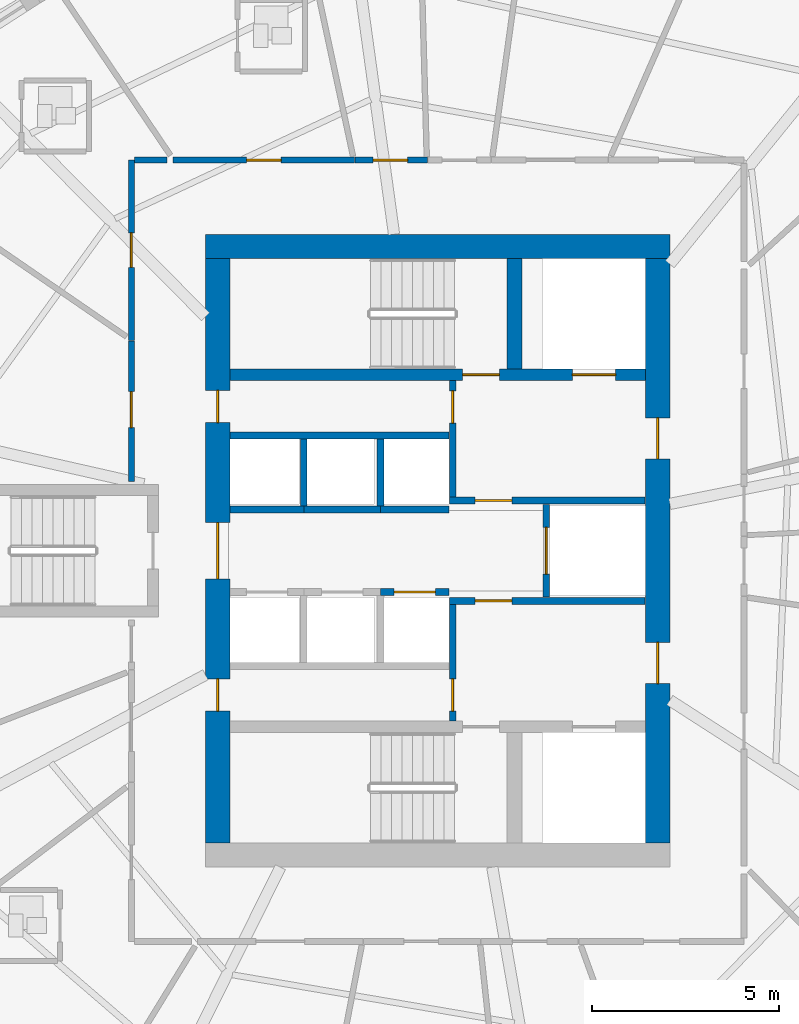
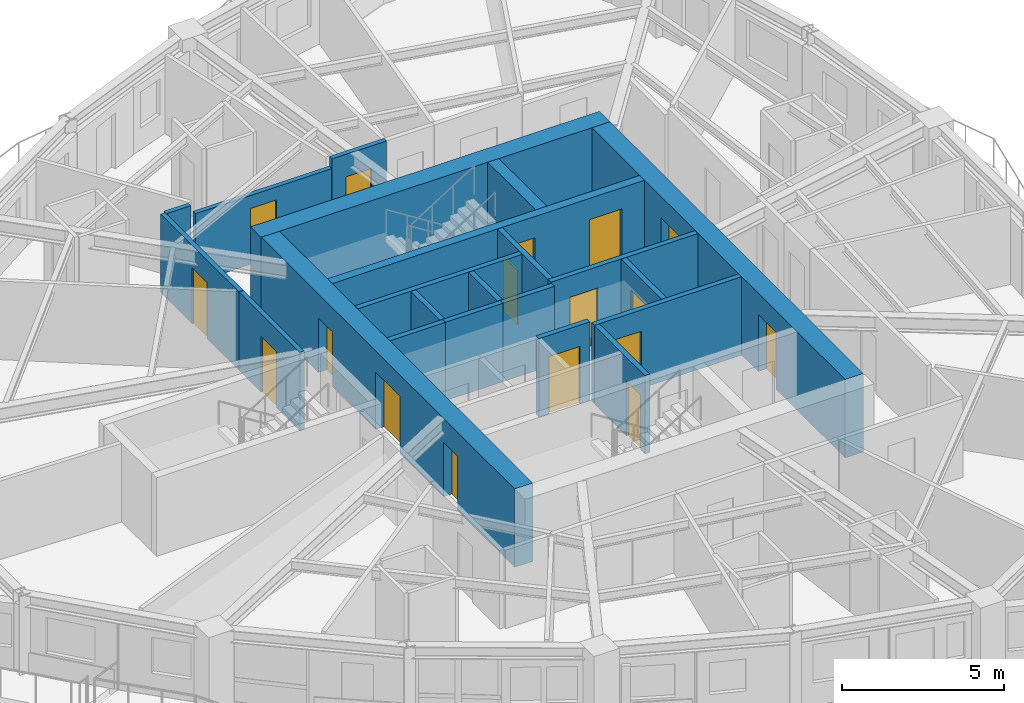
# One storey, part 7 of 15: 22 walls, 17 doors, 17 openings.
"""IFC4 building model written with IfcOpenShell, lengths in metres."""

from ifc_helpers import new_model, si_unit, direction, frame, frame_2d, origin, place, context, subcontext, project, spatial, rectangle, extrude, source, transform, mapped, material, layer, layer_set, type_object, element, fill, save


model = new_model("IFC4")

# Units and contexts
model_context = context("Model", 3, precision=1e-05, world=origin(), true_north=direction((0.0, 1.0)))
body_context = subcontext(model_context, "Body", "Model", "MODEL_VIEW")
ifc_project = project(units=[si_unit("LENGTHUNIT", "METRE"), si_unit("AREAUNIT", "SQUARE_METRE"), si_unit("VOLUMEUNIT", "CUBIC_METRE"), si_unit("PLANEANGLEUNIT", "RADIAN"), si_unit("MASSUNIT", "GRAM", prefix="KILO")], contexts=[model_context])

# Site, building, storey
site_placement = place(None, origin())
site = spatial("IfcSite", under=ifc_project, at=site_placement, CompositionType="ELEMENT")
building_placement = place(site_placement, origin())
building = spatial("IfcBuilding", under=site, at=building_placement, Name="Qafzar Sky-Pleat Residences", CompositionType="ELEMENT")
storey_placement = place(building_placement, frame((0.0, 0.0, 70.39990234375)))
storey = spatial("IfcBuildingStorey", under=building, at=storey_placement, Name="L20", CompositionType="ELEMENT", Elevation=70.39990234375)

# Wall, opening, door
ifc_material_1 = material(Name="Acoustic gypsum plasterboard partition", Category="gypsum")
ifc_layer_1 = layer(ifc_material_1, 0.159912109375)
ifc_layer_set_1 = layer_set([ifc_layer_1], Name="Acoustic gypsum plasterboard partition")
wall_type_1 = type_object("IfcWallType", Name="PART-COR-160", PredefinedType="PARTITIONING", material=ifc_layer_set_1)
wall_1_placement = place(storey_placement, frame((23.283935546875, 36.429931640625, 0.0), z_axis=(0.0, 0.0, 1.0), x_axis=(1.0, 0.0, 0.0)))
wall_1 = element("IfcWall", 1, at=wall_1_placement, inside=storey, type_object=wall_type_1, Name="L20 Partition Wall PART-L20-PW-003", PredefinedType="PARTITIONING", context=body_context, shape_type="SweptSolid", body=[
    extrude(rectangle(XDim=4.844970703125, YDim=0.159912109375, at=frame_2d((2.42236328125, 0.0))), origin(), (0.0, 0.0, 1.0), 2.588134765625),
])
opening_1_placement = place(wall_1_placement, frame((1.96337890625, 0.0, 0.0)))
opening_1 = element("IfcOpeningElement", 2, at=opening_1_placement, cuts=wall_1, Name="Opening ID-04", PredefinedType="OPENING", context=body_context, shape_type="SweptSolid", body=[
    extrude(rectangle(XDim=0.919921875, YDim=2.10009765625, at=frame_2d((0.4599609375, 1.050048828125))), frame((0.0, 0.08984375, 0.0), z_axis=(0.0, -1.0, 0.0), x_axis=(1.0, 0.0, 0.0)), (0.0, 0.0, 1.0), 0.179931640625),
])
ifc_material_2 = material(Name="Timber-faced fire door", Category="wood")
door_type_1 = type_object("IfcDoorType", Name="DR-BED-920", OperationType="NOTDEFINED", PredefinedType="DOOR", material=ifc_material_2)
shared_shape_1 = source(origin(), body_context, "Body", "SweptSolid", [
    extrude(rectangle(XDim=0.919921875, YDim=2.10009765625, at=frame_2d((0.4599609375, 1.050048828125))), frame((0.0, 0.02490234375, 0.0), z_axis=(0.0, -1.0, 0.0), x_axis=(1.0, 0.0, 0.0)), (0.0, 0.0, 1.0), 0.050048828125),
])
door_1_placement = place(opening_1_placement, origin())
door_1 = element("IfcDoor", 3, at=door_1_placement, inside=storey, type_object=door_type_1, Name="L20 Co-Living Bedroom 3 Door", OperationType="SINGLE_SWING_RIGHT", OverallHeight=2.10009765625, OverallWidth=0.919921875, PredefinedType="DOOR", context=body_context, shape_type="MappedRepresentation", body=[
    mapped(shared_shape_1, transform((0.0, 0.0, 0.0), x_axis=(1.0, 0.0, 0.0), y_axis=(0.0, 1.0, 0.0), z_axis=(0.0, 0.0, 1.0), scale=1.0)),
])
fill(opening_1, door_1)

wall_2_placement = place(storey_placement, frame((22.169921875, 31.610107421875, 0.0), z_axis=(0.0, 0.0, 1.0), x_axis=(0.0, 1.0, 0.0)))
wall_2 = element("IfcWall", 4, at=wall_2_placement, inside=storey, type_object=wall_type_1, Name="L20 Partition Wall PART-L20-PW-004", PredefinedType="PARTITIONING", context=body_context, shape_type="SweptSolid", body=[
    extrude(rectangle(XDim=4.81982421875, YDim=0.159912109375, at=frame_2d((2.409912109375, 0.0))), origin(), (0.0, 0.0, 1.0), 2.9501953125),
])
opening_2_placement = place(wall_2_placement, frame((1.958984375, 0.0, 0.0)))
opening_2 = element("IfcOpeningElement", 5, at=opening_2_placement, cuts=wall_2, Name="Opening ID-04", PredefinedType="OPENING", context=body_context, shape_type="SweptSolid", body=[
    extrude(rectangle(XDim=0.919921875, YDim=2.10009765625, at=frame_2d((0.4599609375, 1.050048828125))), frame((0.0, 0.08984375, 0.0), z_axis=(0.0, -1.0, 0.0), x_axis=(1.0, 0.0, 0.0)), (0.0, 0.0, 1.0), 0.179931640625),
])
door_2_placement = place(opening_2_placement, origin())
door_2 = element("IfcDoor", 6, at=door_2_placement, inside=storey, type_object=door_type_1, Name="L20 Co-Living Bedroom 4 Door", OperationType="SINGLE_SWING_LEFT", OverallHeight=2.10009765625, OverallWidth=0.919921875, PredefinedType="DOOR", context=body_context, shape_type="MappedRepresentation", body=[
    mapped(shared_shape_1, transform((0.0, 0.0, 0.0), x_axis=(1.0, 0.0, 0.0), y_axis=(0.0, 1.0, 0.0), z_axis=(0.0, 0.0, 1.0), scale=1.0)),
])
fill(opening_2, door_2)

wall_3_placement = place(storey_placement, frame((22.169921875, 27.85009765625, 0.0), z_axis=(0.0, 0.0, 1.0), x_axis=(0.0, 1.0, 0.0)))
wall_3 = element("IfcWall", 7, at=wall_3_placement, inside=storey, type_object=wall_type_1, Name="L20 Partition Wall PART-L20-PW-008", PredefinedType="PARTITIONING", context=body_context, shape_type="SweptSolid", body=[
    extrude(rectangle(XDim=3.744873046875, YDim=0.159912109375, at=frame_2d((1.87255859375, 0.0))), origin(), (0.0, 0.0, 1.0), 2.9501953125),
])
opening_3_placement = place(wall_3_placement, frame((1.4384765625, 0.0, 0.0)))
opening_3 = element("IfcOpeningElement", 8, at=opening_3_placement, cuts=wall_3, Name="Opening ID-06", PredefinedType="OPENING", context=body_context, shape_type="SweptSolid", body=[
    extrude(rectangle(XDim=0.9599609375, YDim=2.10009765625, at=frame_2d((0.47998046875, 1.050048828125))), frame((0.0, 0.08984375, 0.0), z_axis=(0.0, -1.0, 0.0), x_axis=(1.0, 0.0, 0.0)), (0.0, 0.0, 1.0), 0.179931640625),
])
door_type_2 = type_object("IfcDoorType", Name="DR-STD-960", OperationType="NOTDEFINED", PredefinedType="DOOR", material=ifc_material_2)
shared_shape_2 = source(origin(), body_context, "Body", "SweptSolid", [
    extrude(rectangle(XDim=0.9599609375, YDim=2.10009765625, at=frame_2d((0.47998046875, 1.050048828125))), frame((0.0, 0.02490234375, 0.0), z_axis=(0.0, -1.0, 0.0), x_axis=(1.0, 0.0, 0.0)), (0.0, 0.0, 1.0), 0.050048828125),
])
door_3_placement = place(opening_3_placement, origin())
door_3 = element("IfcDoor", 9, at=door_3_placement, inside=storey, type_object=door_type_2, Name="L20 Scholar Co-Working Workspace Door", OperationType="SINGLE_SWING_RIGHT", OverallHeight=2.10009765625, OverallWidth=0.9599609375, PredefinedType="DOOR", context=body_context, shape_type="MappedRepresentation", body=[
    mapped(shared_shape_2, transform((0.0, 0.0, 0.0), x_axis=(1.0, 0.0, 0.0), y_axis=(0.0, 1.0, 0.0), z_axis=(0.0, 0.0, 1.0), scale=1.0)),
])
fill(opening_3, door_3)

wall_4_placement = place(storey_placement, frame((28.14404296875, 36.429931640625, 0.0), z_axis=(0.0, 0.0, 1.0), x_axis=(1.0, 0.0, 0.0)))
wall_4 = element("IfcWall", 10, at=wall_4_placement, inside=storey, type_object=wall_type_1, Name="L20 Partition Wall PART-L20-PW-014", PredefinedType="PARTITIONING", context=body_context, shape_type="SweptSolid", body=[
    extrude(rectangle(XDim=1.931884765625, YDim=0.159912109375, at=frame_2d((0.9658203125, 0.0))), origin(), (0.0, 0.0, 1.0), 2.9501953125),
])
opening_4_placement = place(wall_4_placement, frame((0.48291015625, 0.0, 0.0)))
opening_4 = element("IfcOpeningElement", 11, at=opening_4_placement, cuts=wall_4, Name="Opening ID-04", PredefinedType="OPENING", context=body_context, shape_type="SweptSolid", body=[
    extrude(rectangle(XDim=0.919921875, YDim=2.10009765625, at=frame_2d((0.4599609375, 1.050048828125))), frame((0.0, 0.08984375, 0.0), z_axis=(0.0, -1.0, 0.0), x_axis=(1.0, 0.0, 0.0)), (0.0, 0.0, 1.0), 0.179931640625),
])
door_4_placement = place(opening_4_placement, origin())
door_4 = element("IfcDoor", 12, at=door_4_placement, inside=storey, type_object=door_type_1, Name="L20 Co-Living Bedroom 1 Door", OperationType="SINGLE_SWING_RIGHT", OverallHeight=2.10009765625, OverallWidth=0.919921875, PredefinedType="DOOR", context=body_context, shape_type="MappedRepresentation", body=[
    mapped(shared_shape_1, transform((0.0, 0.0, 0.0), x_axis=(1.0, 0.0, 0.0), y_axis=(0.0, 1.0, 0.0), z_axis=(0.0, 0.0, 1.0), scale=1.0)),
])
fill(opening_4, door_4)

# Wall
wall_5_placement = place(storey_placement, frame((22.258056640625, 36.429931640625, 0.0), z_axis=(0.0, 0.0, 1.0), x_axis=(1.0, 0.0, 0.0)))
element("IfcWall", 13, at=wall_5_placement, inside=storey, type_object=wall_type_1, Name="L20 Partition Wall PART-L20-PW-065", PredefinedType="PARTITIONING", context=body_context, shape_type="SweptSolid", body=[
    extrude(rectangle(XDim=0.861328125, YDim=0.159912109375, at=frame_2d((0.4306640625, 0.0))), origin(), (0.0, 0.0, 1.0), 2.9501953125),
])

# Wall, opening, door
ifc_material_3 = material(Name="Concrete blockwork partition", Category="masonry")
ifc_layer_2 = layer(ifc_material_3, 0.179931640625)
ifc_layer_set_2 = layer_set([ifc_layer_2], Name="Concrete blockwork partition")
wall_type_2 = type_object("IfcWallType", Name="PART-SHAFT-180", PredefinedType="PARTITIONING", material=ifc_layer_set_2)
wall_6_placement = place(storey_placement, frame((30.75, 21.4599609375, 0.0), z_axis=(0.0, 0.0, 1.0), x_axis=(0.0, 1.0, 0.0)))
wall_6 = element("IfcWall", 14, at=wall_6_placement, inside=storey, type_object=wall_type_2, Name="L20 Partition Wall PART-L20-FFL1-W", PredefinedType="PARTITIONING", context=body_context, shape_type="SweptSolid", body=[
    extrude(rectangle(XDim=3.110107421875, YDim=0.179931640625, at=frame_2d((1.55517578125, 0.0))), origin(), (0.0, 0.0, 1.0), 2.9501953125),
])
opening_5_placement = place(wall_6_placement, frame((0.260009765625, 0.0, 0.0)))
opening_5 = element("IfcOpeningElement", 15, at=opening_5_placement, cuts=wall_6, Name="Opening ID-09", PredefinedType="OPENING", context=body_context, shape_type="SweptSolid", body=[
    extrude(rectangle(XDim=0.860107421875, YDim=2.050048828125, at=frame_2d((0.43017578125, 1.02490234375))), frame((0.0, 0.10009765625, 0.0), z_axis=(0.0, -1.0, 0.0), x_axis=(1.0, 0.0, 0.0)), (0.0, 0.0, 1.0), 0.199951171875),
])
door_type_3 = type_object("IfcDoorType", Name="DR-SVC-860", OperationType="NOTDEFINED", PredefinedType="DOOR", material=ifc_material_2)
shared_shape_3 = source(origin(), body_context, "Body", "SweptSolid", [
    extrude(rectangle(XDim=0.860107421875, YDim=2.050048828125, at=frame_2d((0.43017578125, 1.02490234375))), frame((0.0, 0.02490234375, 0.0), z_axis=(0.0, -1.0, 0.0), x_axis=(1.0, 0.0, 0.0)), (0.0, 0.0, 1.0), 0.050048828125),
])
door_5_placement = place(opening_5_placement, origin())
door_5 = element("IfcDoor", 16, at=door_5_placement, inside=storey, type_object=door_type_3, Name="L20 South Core Cupboard Door", OperationType="SINGLE_SWING_RIGHT", OverallHeight=2.050048828125, OverallWidth=0.860107421875, PredefinedType="DOOR", context=body_context, shape_type="MappedRepresentation", body=[
    mapped(shared_shape_3, transform((0.0, 0.0, 0.0), x_axis=(1.0, 0.0, 0.0), y_axis=(0.0, 1.0, 0.0), z_axis=(0.0, 0.0, 1.0), scale=1.0)),
])
fill(opening_5, door_5)

wall_7_placement = place(storey_placement, frame((30.669921875, 24.659912109375, 0.0), z_axis=(0.0, 0.0, 1.0), x_axis=(1.0, 0.0, 0.0)))
wall_7 = element("IfcWall", 17, at=wall_7_placement, inside=storey, type_object=wall_type_2, Name="L20 Partition Wall PART-L20-FFL1-N", PredefinedType="PARTITIONING", context=body_context, shape_type="SweptSolid", body=[
    extrude(rectangle(XDim=5.219970703125, YDim=0.179931640625, at=frame_2d((2.60986328125, 0.0))), origin(), (0.0, 0.0, 1.0), 2.9501953125),
])
opening_6_placement = place(wall_7_placement, frame((0.679931640625, 0.0, 0.0)))
opening_6 = element("IfcOpeningElement", 18, at=opening_6_placement, cuts=wall_7, Name="Opening ID-01", PredefinedType="OPENING", context=body_context, shape_type="SweptSolid", body=[
    extrude(rectangle(XDim=0.97998046875, YDim=2.14990234375, at=frame_2d((0.489990234375, 1.074951171875))), frame((0.0, 0.10009765625, 0.0), z_axis=(0.0, -1.0, 0.0), x_axis=(1.0, 0.0, 0.0)), (0.0, 0.0, 1.0), 0.199951171875),
])
door_type_4 = type_object("IfcDoorType", Name="DR-STAIR-980", OperationType="NOTDEFINED", PredefinedType="DOOR", material=ifc_material_2)
shared_shape_4 = source(origin(), body_context, "Body", "SweptSolid", [
    extrude(rectangle(XDim=0.97998046875, YDim=2.14990234375, at=frame_2d((0.489990234375, 1.074951171875))), frame((0.0, 0.02490234375, 0.0), z_axis=(0.0, -1.0, 0.0), x_axis=(1.0, 0.0, 0.0)), (0.0, 0.0, 1.0), 0.050048828125),
])
door_6_placement = place(opening_6_placement, origin())
door_6 = element("IfcDoor", 19, at=door_6_placement, inside=storey, type_object=door_type_4, Name="L20 Lift Lobby to South Firefighting Lobby Door", OperationType="SINGLE_SWING_LEFT", OverallHeight=2.14990234375, OverallWidth=0.97998046875, PredefinedType="DOOR", context=body_context, shape_type="MappedRepresentation", body=[
    mapped(shared_shape_4, transform((0.0, 0.0, 0.0), x_axis=(1.0, 0.0, 0.0), y_axis=(0.0, 1.0, 0.0), z_axis=(0.0, 0.0, 1.0), scale=1.0)),
])
fill(opening_6, door_6)

wall_8_placement = place(storey_placement, frame((30.75, 27.429931640625, 0.0), z_axis=(0.0, 0.0, 1.0), x_axis=(0.0, 1.0, 0.0)))
wall_8 = element("IfcWall", 20, at=wall_8_placement, inside=storey, type_object=wall_type_2, Name="L20 Partition Wall PART-L20-FFL2-W", PredefinedType="PARTITIONING", context=body_context, shape_type="SweptSolid", body=[
    extrude(rectangle(XDim=3.110107421875, YDim=0.179931640625, at=frame_2d((1.55517578125, 0.0))), origin(), (0.0, 0.0, 1.0), 2.9501953125),
])
opening_7_placement = place(wall_8_placement, frame((1.97998046875, 0.0, 0.0)))
opening_7 = element("IfcOpeningElement", 21, at=opening_7_placement, cuts=wall_8, Name="Opening ID-09", PredefinedType="OPENING", context=body_context, shape_type="SweptSolid", body=[
    extrude(rectangle(XDim=0.860107421875, YDim=2.050048828125, at=frame_2d((0.43017578125, 1.02490234375))), frame((0.0, 0.10009765625, 0.0), z_axis=(0.0, -1.0, 0.0), x_axis=(1.0, 0.0, 0.0)), (0.0, 0.0, 1.0), 0.199951171875),
])
door_7_placement = place(opening_7_placement, origin())
door_7 = element("IfcDoor", 22, at=door_7_placement, inside=storey, type_object=door_type_3, Name="L20 North Core Cupboard Door", OperationType="SINGLE_SWING_RIGHT", OverallHeight=2.050048828125, OverallWidth=0.860107421875, PredefinedType="DOOR", context=body_context, shape_type="MappedRepresentation", body=[
    mapped(shared_shape_3, transform((0.0, 0.0, 0.0), x_axis=(1.0, 0.0, 0.0), y_axis=(0.0, 1.0, 0.0), z_axis=(0.0, 0.0, 1.0), scale=1.0)),
])
fill(opening_7, door_7)

wall_9_placement = place(storey_placement, frame((30.669921875, 27.340087890625, 0.0), z_axis=(0.0, 0.0, 1.0), x_axis=(1.0, 0.0, 0.0)))
wall_9 = element("IfcWall", 23, at=wall_9_placement, inside=storey, type_object=wall_type_2, Name="L20 Partition Wall PART-L20-FFL2-S", PredefinedType="PARTITIONING", context=body_context, shape_type="SweptSolid", body=[
    extrude(rectangle(XDim=5.219970703125, YDim=0.179931640625, at=frame_2d((2.60986328125, 0.0))), origin(), (0.0, 0.0, 1.0), 2.9501953125),
])
opening_8_placement = place(wall_9_placement, frame((0.679931640625, 0.0, 0.0)))
opening_8 = element("IfcOpeningElement", 24, at=opening_8_placement, cuts=wall_9, Name="Opening ID-01", PredefinedType="OPENING", context=body_context, shape_type="SweptSolid", body=[
    extrude(rectangle(XDim=0.97998046875, YDim=2.14990234375, at=frame_2d((0.489990234375, 1.074951171875))), frame((0.0, 0.10009765625, 0.0), z_axis=(0.0, -1.0, 0.0), x_axis=(1.0, 0.0, 0.0)), (0.0, 0.0, 1.0), 0.199951171875),
])
door_8_placement = place(opening_8_placement, origin())
door_8 = element("IfcDoor", 25, at=door_8_placement, inside=storey, type_object=door_type_4, Name="L20 Lift Lobby to North Firefighting Lobby Door", OperationType="SINGLE_SWING_LEFT", OverallHeight=2.14990234375, OverallWidth=0.97998046875, PredefinedType="DOOR", context=body_context, shape_type="MappedRepresentation", body=[
    mapped(shared_shape_4, transform((0.0, 0.0, 0.0), x_axis=(1.0, 0.0, 0.0), y_axis=(0.0, 1.0, 0.0), z_axis=(0.0, 0.0, 1.0), scale=1.0)),
])
fill(opening_8, door_8)

wall_10_placement = place(storey_placement, frame((33.25, 24.760009765625, 0.0), z_axis=(0.0, 0.0, 1.0), x_axis=(0.0, 1.0, 0.0)))
wall_10 = element("IfcWall", 26, at=wall_10_placement, inside=storey, type_object=wall_type_2, Name="L20 Partition Wall PART-L20-SV1-W", PredefinedType="PARTITIONING", context=body_context, shape_type="SweptSolid", body=[
    extrude(rectangle(XDim=2.47998046875, YDim=0.179931640625, at=frame_2d((1.239990234375, 0.0))), origin(), (0.0, 0.0, 1.0), 2.9501953125),
])
opening_9_placement = place(wall_10_placement, frame((0.614990234375, 0.0, 0.0)))
opening_9 = element("IfcOpeningElement", 27, at=opening_9_placement, cuts=wall_10, Name="Opening LD-03", PredefinedType="OPENING", context=body_context, shape_type="SweptSolid", body=[
    extrude(rectangle(XDim=1.25, YDim=2.14990234375, at=frame_2d((0.625, 1.074951171875))), frame((0.0, 0.10009765625, 0.0), z_axis=(0.0, -1.0, 0.0), x_axis=(1.0, 0.0, 0.0)), (0.0, 0.0, 1.0), 0.199951171875),
])
ifc_material_4 = material(Name="Stainless steel sliding landing door", Category="steel")
door_type_5 = type_object("IfcDoorType", Name="DR-LIFT-SV", OperationType="DOUBLE_DOOR_SLIDING", PredefinedType="DOOR", material=ifc_material_4)
shared_shape_5 = source(origin(), body_context, "Body", "SweptSolid", [
    extrude(rectangle(XDim=1.25, YDim=2.14990234375, at=frame_2d((0.625, 1.074951171875))), frame((0.0, 0.02490234375, 0.0), z_axis=(0.0, -1.0, 0.0), x_axis=(1.0, 0.0, 0.0)), (0.0, 0.0, 1.0), 0.050048828125),
])
door_9_placement = place(opening_9_placement, origin())
door_9 = element("IfcDoor", 28, at=door_9_placement, inside=storey, type_object=door_type_5, Name="L20 Service Lift SV1 Landing Door", OperationType="DOUBLE_DOOR_SLIDING", OverallHeight=2.14990234375, OverallWidth=1.25, PredefinedType="DOOR", context=body_context, shape_type="MappedRepresentation", body=[
    mapped(shared_shape_5, transform((0.0, 0.0, 0.0), x_axis=(1.0, 0.0, 0.0), y_axis=(0.0, 1.0, 0.0), z_axis=(0.0, 0.0, 1.0), scale=1.0)),
])
fill(opening_9, door_9)

wall_11_placement = place(storey_placement, frame((28.824951171875, 24.89990234375, 0.0), z_axis=(0.0, 0.0, 1.0), x_axis=(1.0, 0.0, 0.0)))
wall_11 = element("IfcWall", 29, at=wall_11_placement, inside=storey, type_object=wall_type_2, Name="L20 Partition Wall PART-L20-P3-N", PredefinedType="PARTITIONING", context=body_context, shape_type="SweptSolid", body=[
    extrude(rectangle(XDim=1.824951171875, YDim=0.179931640625, at=frame_2d((0.91259765625, 0.0))), origin(), (0.0, 0.0, 1.0), 2.9501953125),
])
opening_10_placement = place(wall_11_placement, frame((0.362548828125, 0.0, 0.0)))
opening_10 = element("IfcOpeningElement", 30, at=opening_10_placement, cuts=wall_11, Name="Opening LD-01", PredefinedType="OPENING", context=body_context, shape_type="SweptSolid", body=[
    extrude(rectangle(XDim=1.10009765625, YDim=2.14990234375, at=frame_2d((0.550048828125, 1.074951171875))), frame((0.0, 0.10009765625, 0.0), z_axis=(0.0, -1.0, 0.0), x_axis=(1.0, 0.0, 0.0)), (0.0, 0.0, 1.0), 0.199951171875),
])
door_type_6 = type_object("IfcDoorType", Name="DR-LIFT-P", OperationType="DOUBLE_DOOR_SLIDING", PredefinedType="DOOR", material=ifc_material_4)
shared_shape_6 = source(origin(), body_context, "Body", "SweptSolid", [
    extrude(rectangle(XDim=1.10009765625, YDim=2.14990234375, at=frame_2d((0.550048828125, 1.074951171875))), frame((0.0, 0.02490234375, 0.0), z_axis=(0.0, -1.0, 0.0), x_axis=(1.0, 0.0, 0.0)), (0.0, 0.0, 1.0), 0.050048828125),
])
door_10_placement = place(opening_10_placement, origin())
door_10 = element("IfcDoor", 31, at=door_10_placement, inside=storey, type_object=door_type_6, Name="L20 Passenger Lift P3 Landing Door", OperationType="DOUBLE_DOOR_SLIDING", OverallHeight=2.14990234375, OverallWidth=1.10009765625, PredefinedType="DOOR", context=body_context, shape_type="MappedRepresentation", body=[
    mapped(shared_shape_6, transform((0.0, 0.0, 0.0), x_axis=(1.0, 0.0, 0.0), y_axis=(0.0, 1.0, 0.0), z_axis=(0.0, 0.0, 1.0), scale=1.0)),
])
fill(opening_10, door_10)

# Walls
wall_12_placement = place(storey_placement, frame((24.81005859375, 29.080078125, 0.0), z_axis=(0.0, 0.0, 1.0), x_axis=(1.0, 0.0, 0.0)))
element("IfcWall", 32, at=wall_12_placement, inside=storey, type_object=wall_type_2, Name="L20 Partition Wall PART-L20-P46-N", PredefinedType="PARTITIONING", context=body_context, shape_type="SweptSolid", body=[
    extrude(rectangle(XDim=5.83984375, YDim=0.179931640625, at=frame_2d((2.919921875, 0.0))), origin(), (0.0, 0.0, 1.0), 2.9501953125),
])
wall_13_placement = place(storey_placement, frame((24.81005859375, 27.10009765625, 0.0), z_axis=(0.0, 0.0, 1.0), x_axis=(1.0, 0.0, 0.0)))
element("IfcWall", 33, at=wall_13_placement, inside=storey, type_object=wall_type_2, Name="L20 Partition Wall PART-L20-P4-S", PredefinedType="PARTITIONING", context=body_context, shape_type="SweptSolid", body=[
    extrude(rectangle(XDim=1.96484375, YDim=0.179931640625, at=frame_2d((0.982421875, 0.0))), origin(), (0.0, 0.0, 1.0), 2.9501953125),
])
wall_14_placement = place(storey_placement, frame((26.77490234375, 27.10009765625, 0.0), z_axis=(0.0, 0.0, 1.0), x_axis=(1.0, 0.0, 0.0)))
element("IfcWall", 34, at=wall_14_placement, inside=storey, type_object=wall_type_2, Name="L20 Partition Wall PART-L20-P5-S", PredefinedType="PARTITIONING", context=body_context, shape_type="SweptSolid", body=[
    extrude(rectangle(XDim=2.050048828125, YDim=0.179931640625, at=frame_2d((1.02490234375, 0.0))), origin(), (0.0, 0.0, 1.0), 2.9501953125),
])
wall_15_placement = place(storey_placement, frame((26.77490234375, 27.199951171875, 0.0), z_axis=(0.0, 0.0, 1.0), x_axis=(0.0, 1.0, 0.0)))
element("IfcWall", 35, at=wall_15_placement, inside=storey, type_object=wall_type_2, Name="L20 Partition Wall PART-L20-P46-DIV-1", PredefinedType="PARTITIONING", context=body_context, shape_type="SweptSolid", body=[
    extrude(rectangle(XDim=1.780029296875, YDim=0.179931640625, at=frame_2d((0.89013671875, 0.0))), origin(), (0.0, 0.0, 1.0), 2.9501953125),
])
wall_16_placement = place(storey_placement, frame((28.824951171875, 27.10009765625, 0.0), z_axis=(0.0, 0.0, 1.0), x_axis=(1.0, 0.0, 0.0)))
element("IfcWall", 36, at=wall_16_placement, inside=storey, type_object=wall_type_2, Name="L20 Partition Wall PART-L20-P6-S", PredefinedType="PARTITIONING", context=body_context, shape_type="SweptSolid", body=[
    extrude(rectangle(XDim=1.824951171875, YDim=0.179931640625, at=frame_2d((0.91259765625, 0.0))), origin(), (0.0, 0.0, 1.0), 2.9501953125),
])
wall_17_placement = place(storey_placement, frame((28.824951171875, 27.199951171875, 0.0), z_axis=(0.0, 0.0, 1.0), x_axis=(0.0, 1.0, 0.0)))
element("IfcWall", 37, at=wall_17_placement, inside=storey, type_object=wall_type_2, Name="L20 Partition Wall PART-L20-P46-DIV-2", PredefinedType="PARTITIONING", context=body_context, shape_type="SweptSolid", body=[
    extrude(rectangle(XDim=1.780029296875, YDim=0.179931640625, at=frame_2d((0.89013671875, 0.0))), origin(), (0.0, 0.0, 1.0), 2.9501953125),
])

# Wall, openings, doors
ifc_material_5 = material(Name="Concrete C60/75", Category="concrete")
ifc_layer_3 = layer(ifc_material_5, 0.300048828125)
ifc_layer_set_3 = layer_set([ifc_layer_3], Name="Concrete C60/75")
wall_type_3 = type_object("IfcWallType", Name="WALL-SHEAR-300", PredefinedType="SHEAR", material=ifc_layer_set_3)
wall_18_placement = place(storey_placement, frame((24.800048828125, 30.699951171875, 0.0), z_axis=(0.0, 0.0, 1.0), x_axis=(1.0, 0.0, 0.0)))
wall_18 = element("IfcWall", 38, at=wall_18_placement, inside=storey, type_object=wall_type_3, Name="L20 Stair ST2 and FF2 Shaft South Wall", PredefinedType="SHEAR", context=body_context, shape_type="SweptSolid", body=[
    extrude(rectangle(XDim=11.099853515625, YDim=0.300048828125, at=frame_2d((5.5498046875, 0.0))), origin(), (0.0, 0.0, 1.0), 2.9501953125),
])
opening_11_placement = place(wall_18_placement, frame((6.219970703125, 0.0, 0.0)))
opening_11 = element("IfcOpeningElement", 39, at=opening_11_placement, cuts=wall_18, Name="Opening ID-01", PredefinedType="OPENING", context=body_context, shape_type="SweptSolid", body=[
    extrude(rectangle(XDim=0.97998046875, YDim=2.14990234375, at=frame_2d((0.489990234375, 1.074951171875))), frame((0.0, 0.16015625, 0.0), z_axis=(0.0, -1.0, 0.0), x_axis=(1.0, 0.0, 0.0)), (0.0, 0.0, 1.0), 0.320068359375),
])
opening_12_placement = place(wall_18_placement, frame((9.14990234375, 0.0, 0.0)))
opening_12 = element("IfcOpeningElement", 40, at=opening_12_placement, cuts=wall_18, Name="Opening LD-02", PredefinedType="OPENING", context=body_context, shape_type="SweptSolid", body=[
    extrude(rectangle(XDim=1.14990234375, YDim=2.14990234375, at=frame_2d((0.574951171875, 1.074951171875))), frame((0.0, 0.16015625, 0.0), z_axis=(0.0, -1.0, 0.0), x_axis=(1.0, 0.0, 0.0)), (0.0, 0.0, 1.0), 0.320068359375),
])
door_11_placement = place(opening_11_placement, origin())
door_11 = element("IfcDoor", 41, at=door_11_placement, inside=storey, type_object=door_type_4, Name="L20 Stair ST2 Fire Door", OperationType="SINGLE_SWING_RIGHT", OverallHeight=2.14990234375, OverallWidth=0.97998046875, PredefinedType="DOOR", context=body_context, shape_type="MappedRepresentation", body=[
    mapped(shared_shape_4, transform((0.0, 0.0, 0.0), x_axis=(1.0, 0.0, 0.0), y_axis=(0.0, 1.0, 0.0), z_axis=(0.0, 0.0, 1.0), scale=1.0)),
])
fill(opening_11, door_11)
door_type_7 = type_object("IfcDoorType", Name="DR-LIFT-FF", OperationType="DOUBLE_DOOR_SLIDING", PredefinedType="DOOR", material=ifc_material_4)
shared_shape_7 = source(origin(), body_context, "Body", "SweptSolid", [
    extrude(rectangle(XDim=1.14990234375, YDim=2.14990234375, at=frame_2d((0.574951171875, 1.074951171875))), frame((0.0, 0.02490234375, 0.0), z_axis=(0.0, -1.0, 0.0), x_axis=(1.0, 0.0, 0.0)), (0.0, 0.0, 1.0), 0.050048828125),
])
door_12_placement = place(opening_12_placement, origin())
door_12 = element("IfcDoor", 42, at=door_12_placement, inside=storey, type_object=door_type_7, Name="L20 Firefighting Lift FF2 Landing Door", OperationType="DOUBLE_DOOR_SLIDING", OverallHeight=2.14990234375, OverallWidth=1.14990234375, PredefinedType="DOOR", context=body_context, shape_type="MappedRepresentation", body=[
    mapped(shared_shape_7, transform((0.0, 0.0, 0.0), x_axis=(1.0, 0.0, 0.0), y_axis=(0.0, 1.0, 0.0), z_axis=(0.0, 0.0, 1.0), scale=1.0)),
])
fill(opening_12, door_12)

# Walls
ifc_layer_4 = layer(ifc_material_5, 0.39990234375)
ifc_layer_set_4 = layer_set([ifc_layer_4], Name="Concrete C60/75")
wall_type_4 = type_object("IfcWallType", Name="WALL-SHEAR-400", PredefinedType="SHEAR", material=ifc_layer_set_4)
wall_19_placement = place(storey_placement, frame((32.39990234375, 30.85009765625, 0.0), z_axis=(0.0, 0.0, 1.0), x_axis=(0.0, 1.0, 0.0)))
element("IfcWall", 43, at=wall_19_placement, inside=storey, type_object=wall_type_4, Name="L20 Stair ST2 East Dividing Wall", PredefinedType="SHEAR", context=body_context, shape_type="SweptSolid", body=[
    extrude(rectangle(XDim=2.949951171875, YDim=0.39990234375, at=frame_2d((1.47509765625, 0.0))), origin(), (0.0, 0.0, 1.0), 2.9501953125),
])
ifc_layer_5 = layer(ifc_material_5, 0.64990234375)
ifc_layer_set_5 = layer_set([ifc_layer_5], Name="Concrete C60/75")
wall_type_5 = type_object("IfcWallType", Name="WALL-SHEAR-650", PredefinedType="SHEAR", material=ifc_layer_set_5)
wall_20_placement = place(storey_placement, frame((36.550048828125, 34.125, 0.0), z_axis=(0.0, 0.0, 1.0), x_axis=(-1.0, 0.0, 0.0)))
element("IfcWall", 44, at=wall_20_placement, inside=storey, type_object=wall_type_5, Name="L20 CORE wall N", PredefinedType="SHEAR", context=body_context, shape_type="SweptSolid", body=[
    extrude(rectangle(XDim=12.400146484375, YDim=0.64990234375, at=frame_2d((6.2001953125, 0.0))), origin(), (0.0, 0.0, 1.0), 2.9501953125),
])

# Wall, openings, doors
wall_21_placement = place(storey_placement, frame((24.47509765625, 33.800048828125, 0.0), z_axis=(0.0, 0.0, 1.0), x_axis=(0.0, -1.0, 0.0)))
wall_21 = element("IfcWall", 45, at=wall_21_placement, inside=storey, type_object=wall_type_5, Name="L20 CORE wall W", PredefinedType="SHEAR", context=body_context, shape_type="SweptSolid", body=[
    extrude(rectangle(XDim=15.60009765625, YDim=0.64990234375, at=frame_2d((7.800048828125, 0.0))), origin(), (0.0, 0.0, 1.0), 2.9501953125),
])
opening_13_placement = place(wall_21_placement, frame((7.050048828125, 0.0, 0.0)))
opening_13 = element("IfcOpeningElement", 46, at=opening_13_placement, cuts=wall_21, Name="Opening ID-03", PredefinedType="OPENING", context=body_context, shape_type="SweptSolid", body=[
    extrude(rectangle(XDim=1.5, YDim=2.14990234375, at=frame_2d((0.75, 1.074951171875))), frame((0.0, 0.3349609375, 0.0), z_axis=(0.0, -1.0, 0.0), x_axis=(1.0, 0.0, 0.0)), (0.0, 0.0, 1.0), 0.669921875),
])
opening_14_placement = place(wall_21_placement, frame((3.52001953125, 0.0, 0.0)))
opening_14 = element("IfcOpeningElement", 47, at=opening_14_placement, cuts=wall_21, Name="Opening ID-09", PredefinedType="OPENING", context=body_context, shape_type="SweptSolid", body=[
    extrude(rectangle(XDim=0.860107421875, YDim=2.050048828125, at=frame_2d((0.43017578125, 1.02490234375))), frame((0.0, 0.3349609375, 0.0), z_axis=(0.0, -1.0, 0.0), x_axis=(1.0, 0.0, 0.0)), (0.0, 0.0, 1.0), 0.669921875),
])
opening_15_placement = place(wall_21_placement, frame((11.219970703125, 0.0, 0.0)))
opening_15 = element("IfcOpeningElement", 48, at=opening_15_placement, cuts=wall_21, Name="Opening ID-09", PredefinedType="OPENING", context=body_context, shape_type="SweptSolid", body=[
    extrude(rectangle(XDim=0.860107421875, YDim=2.050048828125, at=frame_2d((0.43017578125, 1.02490234375))), frame((0.0, 0.3349609375, 0.0), z_axis=(0.0, -1.0, 0.0), x_axis=(1.0, 0.0, 0.0)), (0.0, 0.0, 1.0), 0.669921875),
])
door_type_8 = type_object("IfcDoorType", Name="DR-COR-1500", OperationType="DOUBLE_DOOR_SINGLE_SWING", PredefinedType="DOOR", material=ifc_material_2)
shared_shape_8 = source(origin(), body_context, "Body", "SweptSolid", [
    extrude(rectangle(XDim=1.5, YDim=2.14990234375, at=frame_2d((0.75, 1.074951171875))), frame((0.0, 0.02490234375, 0.0), z_axis=(0.0, -1.0, 0.0), x_axis=(1.0, 0.0, 0.0)), (0.0, 0.0, 1.0), 0.050048828125),
])
door_13_placement = place(opening_13_placement, origin())
door_13 = element("IfcDoor", 49, at=door_13_placement, inside=storey, type_object=door_type_8, Name="L20 Lift Lobby West Double Door", OperationType="DOUBLE_DOOR_SINGLE_SWING", OverallHeight=2.14990234375, OverallWidth=1.5, PredefinedType="DOOR", context=body_context, shape_type="MappedRepresentation", body=[
    mapped(shared_shape_8, transform((0.0, 0.0, 0.0), x_axis=(1.0, 0.0, 0.0), y_axis=(0.0, 1.0, 0.0), z_axis=(0.0, 0.0, 1.0), scale=1.0)),
])
fill(opening_13, door_13)
door_14_placement = place(opening_14_placement, origin())
door_14 = element("IfcDoor", 50, at=door_14_placement, inside=storey, type_object=door_type_3, Name="L20 Core North-West Service Door", OperationType="SINGLE_SWING_RIGHT", OverallHeight=2.050048828125, OverallWidth=0.860107421875, PredefinedType="DOOR", context=body_context, shape_type="MappedRepresentation", body=[
    mapped(shared_shape_3, transform((0.0, 0.0, 0.0), x_axis=(1.0, 0.0, 0.0), y_axis=(0.0, 1.0, 0.0), z_axis=(0.0, 0.0, 1.0), scale=1.0)),
])
fill(opening_14, door_14)
door_15_placement = place(opening_15_placement, origin())
door_15 = element("IfcDoor", 51, at=door_15_placement, inside=storey, type_object=door_type_3, Name="L20 Core South-West Service Door", OperationType="SINGLE_SWING_LEFT", OverallHeight=2.050048828125, OverallWidth=0.860107421875, PredefinedType="DOOR", context=body_context, shape_type="MappedRepresentation", body=[
    mapped(shared_shape_3, transform((0.0, 0.0, 0.0), x_axis=(1.0, 0.0, 0.0), y_axis=(0.0, 1.0, 0.0), z_axis=(0.0, 0.0, 1.0), scale=1.0)),
])
fill(opening_15, door_15)

wall_22_placement = place(storey_placement, frame((36.22509765625, 18.199951171875, 0.0), z_axis=(0.0, 0.0, 1.0), x_axis=(0.0, 1.0, 0.0)))
wall_22 = element("IfcWall", 52, at=wall_22_placement, inside=storey, type_object=wall_type_5, Name="L20 CORE wall E", PredefinedType="SHEAR", context=body_context, shape_type="SweptSolid", body=[
    extrude(rectangle(XDim=15.60009765625, YDim=0.64990234375, at=frame_2d((7.800048828125, 0.0))), origin(), (0.0, 0.0, 1.0), 2.9501953125),
])
opening_16_placement = place(wall_22_placement, frame((4.25, 0.0, 0.0)))
opening_16 = element("IfcOpeningElement", 53, at=opening_16_placement, cuts=wall_22, Name="Opening ID-02", PredefinedType="OPENING", context=body_context, shape_type="SweptSolid", body=[
    extrude(rectangle(XDim=1.10009765625, YDim=2.14990234375, at=frame_2d((0.550048828125, 1.074951171875))), frame((0.0, 0.3349609375, 0.0), z_axis=(0.0, -1.0, 0.0), x_axis=(1.0, 0.0, 0.0)), (0.0, 0.0, 1.0), 0.669921875),
])
opening_17_placement = place(wall_22_placement, frame((10.25, 0.0, 0.0)))
opening_17 = element("IfcOpeningElement", 54, at=opening_17_placement, cuts=wall_22, Name="Opening ID-02", PredefinedType="OPENING", context=body_context, shape_type="SweptSolid", body=[
    extrude(rectangle(XDim=1.10009765625, YDim=2.14990234375, at=frame_2d((0.550048828125, 1.074951171875))), frame((0.0, 0.3349609375, 0.0), z_axis=(0.0, -1.0, 0.0), x_axis=(1.0, 0.0, 0.0)), (0.0, 0.0, 1.0), 0.669921875),
])
door_type_9 = type_object("IfcDoorType", Name="DR-FFL-1100", OperationType="NOTDEFINED", PredefinedType="DOOR", material=ifc_material_2)
door_16_placement = place(opening_16_placement, origin())
door_16 = element("IfcDoor", 55, at=door_16_placement, inside=storey, type_object=door_type_9, Name="L20 Firefighting Lobby South Corridor Door", OperationType="SINGLE_SWING_RIGHT", OverallHeight=2.14990234375, OverallWidth=1.10009765625, PredefinedType="DOOR", context=body_context, shape_type="MappedRepresentation", body=[
    mapped(shared_shape_6, transform((0.0, 0.0, 0.0), x_axis=(1.0, 0.0, 0.0), y_axis=(0.0, 1.0, 0.0), z_axis=(0.0, 0.0, 1.0), scale=1.0)),
])
fill(opening_16, door_16)
door_17_placement = place(opening_17_placement, origin())
door_17 = element("IfcDoor", 56, at=door_17_placement, inside=storey, type_object=door_type_9, Name="L20 Firefighting Lobby North Corridor Door", OperationType="SINGLE_SWING_LEFT", OverallHeight=2.14990234375, OverallWidth=1.10009765625, PredefinedType="DOOR", context=body_context, shape_type="MappedRepresentation", body=[
    mapped(shared_shape_6, transform((0.0, 0.0, 0.0), x_axis=(1.0, 0.0, 0.0), y_axis=(0.0, 1.0, 0.0), z_axis=(0.0, 0.0, 1.0), scale=1.0)),
])
fill(opening_17, door_17)

save(model, "model.ifc")
